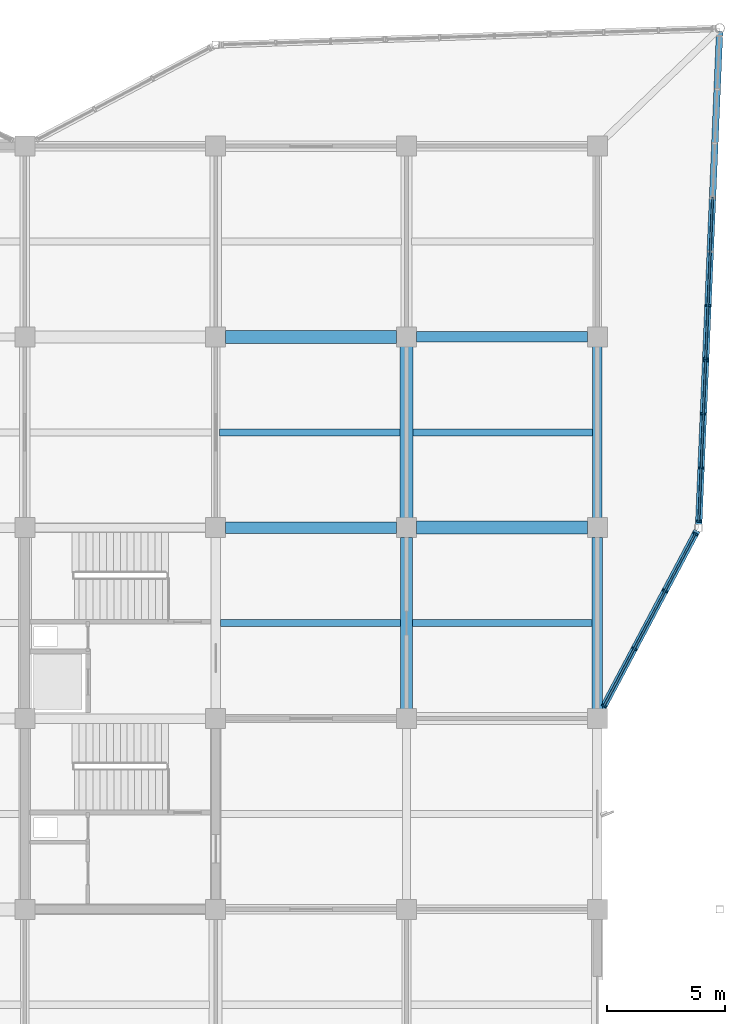
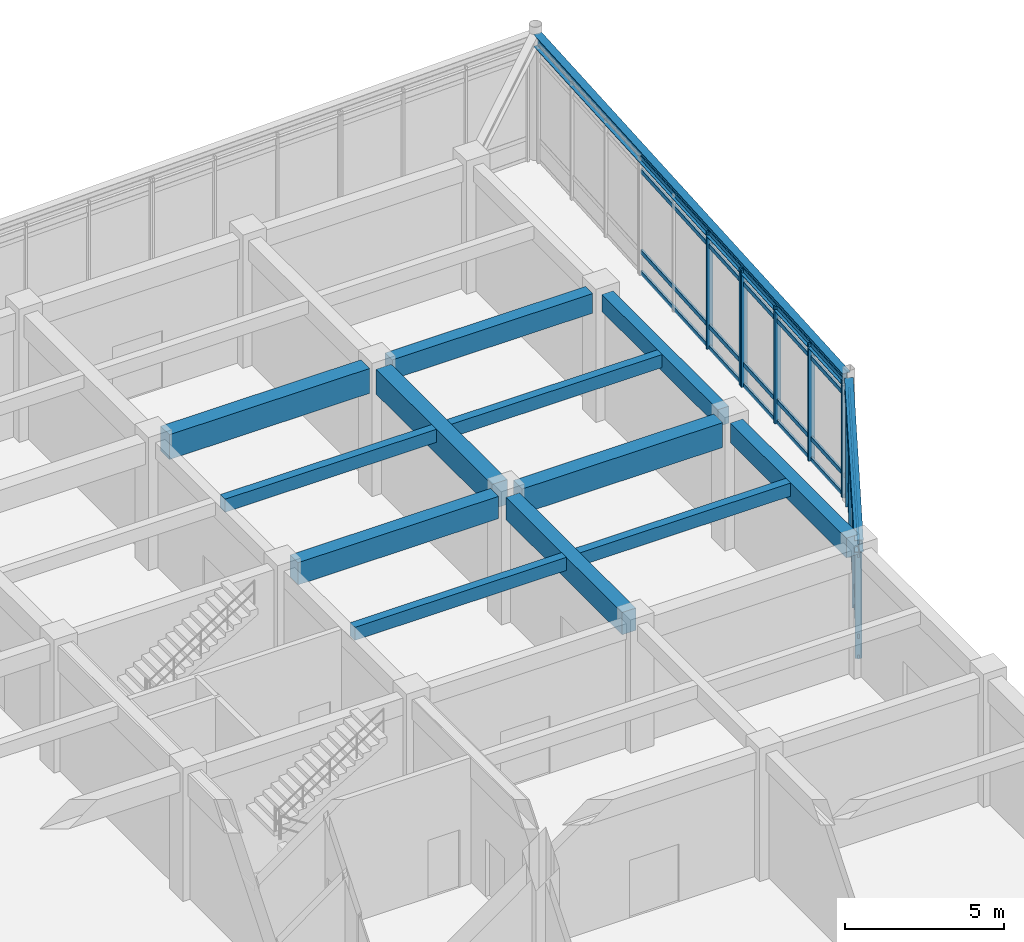
# One storey, part 44 of 99: 22 members, 14 beams, 3 elements without a shape of their own.
"""IFC4 building model written with IfcOpenShell, lengths in metres."""

from ifc_helpers import new_model, si_unit, direction, frame, origin, origin_2d, place, context, subcontext, project, spatial, rectangle, i_section, extrude, material, layer, layer_set, material_profile, profile_set, type_object, element, aggregate, save


model = new_model("IFC4")

# Units and contexts
model_context = context("Model", 3, precision=1e-05, world=origin(), true_north=direction((0.0, 1.0)))
body_context = subcontext(model_context, "Body", "Model", "MODEL_VIEW")
ifc_project = project(units=[si_unit("LENGTHUNIT", "METRE"), si_unit("AREAUNIT", "SQUARE_METRE"), si_unit("VOLUMEUNIT", "CUBIC_METRE"), si_unit("PLANEANGLEUNIT", "RADIAN"), si_unit("MASSUNIT", "GRAM", prefix="KILO")], contexts=[model_context])

# Site, building, storey
site_placement = place(None, origin())
site = spatial("IfcSite", under=ifc_project, at=site_placement, CompositionType="ELEMENT")
building_placement = place(site_placement, origin())
building = spatial("IfcBuilding", under=site, at=building_placement, Name="Vaudrelin Polytechnic", CompositionType="ELEMENT")
storey_placement = place(building_placement, origin())
storey = spatial("IfcBuildingStorey", under=building, at=storey_placement, Name="L00", CompositionType="ELEMENT", Elevation=0.0)

# Beams
ifc_material_1 = material(Name="Concrete 40 MPa", Category="concrete")
ifc_material_profile_1 = material_profile(ifc_material_1, rectangle(XDim=0.39990234375, YDim=0.64990234375, at=origin_2d()), Name="RC400x650")
ifc_profile_set_1 = profile_set([ifc_material_profile_1], Name="Concrete 40 MPa")
beam_type_1 = type_object("IfcBeamType", Name="BM-BM-RC4065", PredefinedType="BEAM", material=ifc_profile_set_1)
beam_1_placement = place(storey_placement, frame((170.10009765625, 105.7099609375, 4.4951171875), z_axis=(0.0, 1.0, 0.0), x_axis=(-1.0, 0.0, 0.0)))
element("IfcBeam", 1, at=beam_1_placement, inside=storey, type_object=beam_type_1, Name="L00 Y-beam 22-14", PredefinedType="BEAM", context=body_context, shape_type="SweptSolid", body=[
    extrude(rectangle(XDim=0.39990234375, YDim=0.64990234375, at=origin_2d()), origin(), (0.0, 0.0, 1.0), 7.280029296875),
])
ifc_material_profile_2 = material_profile(ifc_material_1, rectangle(XDim=0.449951171875, YDim=0.75, at=origin_2d()), Name="RC450x750")
ifc_profile_set_2 = profile_set([ifc_material_profile_2], Name="Concrete 40 MPa")
beam_type_2 = type_object("IfcBeamType", Name="BM-BM-RC4575", PredefinedType="BEAM", material=ifc_profile_set_2)
beam_2_placement = place(storey_placement, frame((170.10009765625, 97.610107421875, 4.445068359375), z_axis=(0.0, 1.0, 0.0), x_axis=(-1.0, 0.0, 0.0)))
element("IfcBeam", 2, at=beam_2_placement, inside=storey, type_object=beam_type_2, Name="L00 Y-beam 22-13", PredefinedType="BEAM", context=body_context, shape_type="SweptSolid", body=[
    extrude(rectangle(XDim=0.449951171875, YDim=0.75, at=origin_2d()), origin(), (0.0, 0.0, 1.0), 7.27978515625),
])
beam_3_placement = place(storey_placement, frame((162.4208984375, 113.39990234375, 4.445068359375), z_axis=(1.0, 0.0, 0.0), x_axis=(0.0, 1.0, 0.0)))
element("IfcBeam", 3, at=beam_3_placement, inside=storey, type_object=beam_type_2, Name="L00 X-beam 21-15", PredefinedType="BEAM", context=body_context, shape_type="SweptSolid", body=[
    extrude(rectangle(XDim=0.449951171875, YDim=0.75, at=origin_2d()), origin(), (0.0, 0.0, 1.0), 7.258056640625),
])
ifc_material_profile_3 = material_profile(ifc_material_1, rectangle(XDim=0.5, YDim=0.85009765625, at=origin_2d()), Name="RC500x850")
ifc_profile_set_3 = profile_set([ifc_material_profile_3], Name="Concrete 40 MPa")
beam_type_3 = type_object("IfcBeamType", Name="BM-BM-RC5085", PredefinedType="BEAM", material=ifc_profile_set_3)
beam_4_placement = place(storey_placement, frame((162.0, 97.610107421875, 4.39501953125), z_axis=(0.0, 1.0, 0.0), x_axis=(-1.0, 0.0, 0.0)))
element("IfcBeam", 4, at=beam_4_placement, inside=storey, type_object=beam_type_3, Name="L00 Y-beam 21-13", PredefinedType="BEAM", context=body_context, shape_type="SweptSolid", body=[
    extrude(rectangle(XDim=0.5, YDim=0.85009765625, at=origin_2d()), origin(), (0.0, 0.0, 1.0), 7.27978515625),
])
beam_5_placement = place(storey_placement, frame((154.321044921875, 105.300048828125, 4.39501953125), z_axis=(1.0, 0.0, 0.0), x_axis=(0.0, 1.0, 0.0)))
element("IfcBeam", 5, at=beam_5_placement, inside=storey, type_object=beam_type_3, Name="L00 X-beam 20-14", PredefinedType="BEAM", context=body_context, shape_type="SweptSolid", body=[
    extrude(rectangle(XDim=0.5, YDim=0.85009765625, at=origin_2d()), origin(), (0.0, 0.0, 1.0), 7.258056640625),
])
ifc_material_2 = material(Name="Concrete 50 MPa", Category="concrete")
ifc_material_profile_4 = material_profile(ifc_material_2, rectangle(XDim=0.550048828125, YDim=0.949951171875, at=origin_2d()), Name="RC550x950")
ifc_profile_set_4 = profile_set([ifc_material_profile_4], Name="Concrete 50 MPa")
beam_type_4 = type_object("IfcBeamType", Name="BM-BM-RC5595", PredefinedType="BEAM", material=ifc_profile_set_4)
beam_6_placement = place(storey_placement, frame((162.0, 105.7099609375, 4.344970703125), z_axis=(0.0, 1.0, 0.0), x_axis=(-1.0, 0.0, 0.0)))
element("IfcBeam", 6, at=beam_6_placement, inside=storey, type_object=beam_type_4, Name="L00 Y-beam 21-14", PredefinedType="BEAM", context=body_context, shape_type="SweptSolid", body=[
    extrude(rectangle(XDim=0.550048828125, YDim=0.949951171875, at=origin_2d()), origin(), (0.0, 0.0, 1.0), 7.280029296875),
])
for number, where, z_axis, x_axis, name in (
    (7, (154.321044921875, 113.39990234375, 4.344970703125), (1.0, 0.0, 0.0), (0.0, 1.0, 0.0), "L00 X-beam 20-15"),
    (8, (162.4208984375, 105.300048828125, 4.344970703125), (1.0, 0.0, 0.0), (0.0, 1.0, 0.0), "L00 X-beam 21-14"),
):
    element("IfcBeam", number, at=place(storey_placement, frame(where, z_axis=z_axis, x_axis=x_axis)), inside=storey, type_object=beam_type_4, Name=name, PredefinedType="BEAM", context=body_context, shape_type="SweptSolid", body=[
        extrude(rectangle(XDim=0.550048828125, YDim=0.949951171875, at=origin_2d()), origin(), (0.0, 0.0, 1.0), 7.258056640625),
    ])
ifc_material_3 = material(Name="Steel CSA G40.21 350W", Category="steel")
ifc_material_profile_5 = material_profile(ifc_material_3, i_section(OverallWidth=0.280029296875, OverallDepth=0.462890625, WebThickness=0.0107421875, FlangeThickness=0.017333984375, FilletRadius=0.01806640625, at=origin_2d()), Name="W460x113")
ifc_profile_set_5 = profile_set([ifc_material_profile_5], Name="Steel CSA G40.21 350W")
beam_type_5 = type_object("IfcBeamType", Name="BM-BM-W460H", PredefinedType="BEAM", material=ifc_profile_set_5)
beam_7_placement = place(storey_placement, frame((175.294189453125, 126.360107421875, 4.58837890625), z_axis=(-0.042417646122, -0.999099966619, 0.0), x_axis=(0.999099966619, -0.042417646122, 0.0)))
element("IfcBeam", 9, at=beam_7_placement, inside=storey, type_object=beam_type_5, Name="Sculptural edge beam L00 NE_BM_3", PredefinedType="BEAM", context=body_context, shape_type="SweptSolid", body=[
    extrude(i_section(OverallWidth=0.280029296875, OverallDepth=0.462890625, WebThickness=0.0107421875, FlangeThickness=0.017333984375, FilletRadius=0.01806640625, at=origin_2d()), origin(), (0.0, 0.0, 1.0), 20.93896484375),
])
beam_8_placement = place(storey_placement, frame((174.33447265625, 105.17626953125, 4.58837890625), z_axis=(-0.468916952234, -0.883242261165, 0.0), x_axis=(0.883242261165, -0.468916952234, 0.0)))
element("IfcBeam", 10, at=beam_8_placement, inside=storey, type_object=beam_type_5, Name="Sculptural edge beam L00 NE_BM_4", PredefinedType="BEAM", context=body_context, shape_type="SweptSolid", body=[
    extrude(i_section(OverallWidth=0.280029296875, OverallDepth=0.462890625, WebThickness=0.0107421875, FlangeThickness=0.017333984375, FilletRadius=0.01806640625, at=origin_2d()), origin(), (0.0, 0.0, 1.0), 8.890625),
])
ifc_material_profile_6 = material_profile(ifc_material_1, rectangle(XDim=0.300048828125, YDim=0.5, at=origin_2d()), Name="RC300x500")
ifc_profile_set_6 = profile_set([ifc_material_profile_6], Name="Concrete 40 MPa")
beam_type_6 = type_object("IfcBeamType", Name="BM-JS-RC3050", PredefinedType="JOIST", material=ifc_profile_set_6)
for number, where, z_axis, x_axis, name in (
    (11, (154.095947265625, 101.25, 4.570068359375), (1.0, 0.0, 0.0), (0.0, 1.0, 0.0), "L00 floor joist 20-13"),
    (12, (154.071044921875, 109.35009765625, 4.570068359375), (1.0, 0.0, 0.0), (0.0, 1.0, 0.0), "L00 floor joist 20-14"),
):
    element("IfcBeam", number, at=place(storey_placement, frame(where, z_axis=z_axis, x_axis=x_axis)), inside=storey, type_object=beam_type_6, Name=name, PredefinedType="JOIST", context=body_context, shape_type="SweptSolid", body=[
        extrude(rectangle(XDim=0.300048828125, YDim=0.5, at=origin_2d()), origin(), (0.0, 0.0, 1.0), 7.657958984375),
    ])
beam_9_placement = place(storey_placement, frame((162.24609375, 101.25, 4.570068359375), z_axis=(1.0, 0.0, 0.0), x_axis=(0.0, 1.0, 0.0)))
element("IfcBeam", 13, at=beam_9_placement, inside=storey, type_object=beam_type_6, Name="L00 floor joist 21-13", PredefinedType="JOIST", context=body_context, shape_type="SweptSolid", body=[
    extrude(rectangle(XDim=0.300048828125, YDim=0.5, at=origin_2d()), origin(), (0.0, 0.0, 1.0), 7.6328125),
])
beam_10_placement = place(storey_placement, frame((162.27099609375, 109.35009765625, 4.570068359375), z_axis=(1.0, 0.0, 0.0), x_axis=(0.0, 1.0, 0.0)))
element("IfcBeam", 14, at=beam_10_placement, inside=storey, type_object=beam_type_6, Name="L00 floor joist 21-14", PredefinedType="JOIST", context=body_context, shape_type="SweptSolid", body=[
    extrude(rectangle(XDim=0.300048828125, YDim=0.5, at=origin_2d()), origin(), (0.0, 0.0, 1.0), 7.633056640625),
])

# Curtain wall, members
ifc_material_4 = material(Name="Thermally broken anodised aluminium AA 6063-T6 and low-e triple glazing", Category="aluminium")
ifc_layer = layer(ifc_material_4, 0.199951171875)
ifc_layer_set = layer_set([ifc_layer], Name="Thermally broken anodised aluminium AA 6063-T6 and low-e triple glazing")
curtain_wall_type = type_object("IfcCurtainWallType", Name="CW-CW-LAB", PredefinedType="USERDEFINED", material=ifc_layer_set)
curtain_wall_1_placement = place(storey_placement, origin())
curtain_wall_1 = element("IfcCurtainWall", 15, at=curtain_wall_1_placement, inside=storey, type_object=curtain_wall_type, Name="Curtain wall L00 NEP_3_1", ObjectType="CURTAIN WALL", PredefinedType="USERDEFINED")
ifc_material_5 = material(Name="Anodised aluminium AA 6063-T6", Category="aluminium")
ifc_material_profile_7 = material_profile(ifc_material_5, rectangle(XDim=0.074951171875, YDim=0.219970703125, at=origin_2d()), Name="CWM-75x220")
ifc_profile_set_7 = profile_set([ifc_material_profile_7], Name="Anodised aluminium AA 6063-T6")
member_type_1 = type_object("IfcMemberType", Name="MEM-CWM-220", PredefinedType="MULLION", material=ifc_profile_set_7)
member_1_placement = place(storey_placement, frame((174.80029296875, 114.72607421875, 0.0), z_axis=(0.0, 0.0, 1.0), x_axis=(-0.042405411318, -0.999100485983, 0.0)))
member_1 = element("IfcMember", 16, at=member_1_placement, type_object=member_type_1, Name="NEP_3_1 mullion 3", PredefinedType="MULLION", context=body_context, shape_type="SweptSolid", body=[
    extrude(rectangle(XDim=0.074951171875, YDim=0.219970703125, at=origin_2d()), origin(), (0.0, 0.0, 1.0), 4.489990234375),
])
member_2_placement = place(storey_placement, frame((174.704345703125, 112.468994140625, 0.0), z_axis=(0.0, 0.0, 1.0), x_axis=(-0.042405411318, -0.999100485983, 0.0)))
member_2 = element("IfcMember", 17, at=member_2_placement, type_object=member_type_1, Name="NEP_3_1 mullion 4", PredefinedType="MULLION", context=body_context, shape_type="SweptSolid", body=[
    extrude(rectangle(XDim=0.074951171875, YDim=0.219970703125, at=origin_2d()), origin(), (0.0, 0.0, 1.0), 4.489990234375),
])

curtain_wall_2_placement = place(storey_placement, origin())
curtain_wall_2 = element("IfcCurtainWall", 18, at=curtain_wall_2_placement, inside=storey, type_object=curtain_wall_type, Name="Curtain wall L00 NEP_3_2", ObjectType="CURTAIN WALL", PredefinedType="USERDEFINED")
member_3_placement = place(storey_placement, frame((174.700927734375, 112.388916015625, 0.0), z_axis=(0.0, 0.0, 1.0), x_axis=(-0.042419882824, -0.999099871655, 0.0)))
member_3 = element("IfcMember", 19, at=member_3_placement, type_object=member_type_1, Name="NEP_3_2 mullion 1", PredefinedType="MULLION", context=body_context, shape_type="SweptSolid", body=[
    extrude(rectangle(XDim=0.074951171875, YDim=0.219970703125, at=origin_2d()), origin(), (0.0, 0.0, 1.0), 4.489990234375),
])
member_4_placement = place(storey_placement, frame((174.605224609375, 110.131591796875, 0.0), z_axis=(0.0, 0.0, 1.0), x_axis=(-0.042419882824, -0.999099871655, 0.0)))
member_4 = element("IfcMember", 20, at=member_4_placement, type_object=member_type_1, Name="NEP_3_2 mullion 2", PredefinedType="MULLION", context=body_context, shape_type="SweptSolid", body=[
    extrude(rectangle(XDim=0.074951171875, YDim=0.219970703125, at=origin_2d()), origin(), (0.0, 0.0, 1.0), 4.489990234375),
])
member_5_placement = place(storey_placement, frame((174.507568359375, 107.834716796875, 0.0), z_axis=(0.0, 0.0, 1.0), x_axis=(-0.042419882824, -0.999099871655, 0.0)))
member_5 = element("IfcMember", 21, at=member_5_placement, type_object=member_type_1, Name="NEP_3_2 mullion 3", PredefinedType="MULLION", context=body_context, shape_type="SweptSolid", body=[
    extrude(rectangle(XDim=0.074951171875, YDim=0.219970703125, at=origin_2d()), origin(), (0.0, 0.0, 1.0), 4.489990234375),
])
member_6_placement = place(storey_placement, frame((174.411865234375, 105.577392578125, 0.0), z_axis=(0.0, 0.0, 1.0), x_axis=(-0.042419882824, -0.999099871655, 0.0)))
member_6 = element("IfcMember", 22, at=member_6_placement, type_object=member_type_1, Name="NEP_3_2 mullion 4", PredefinedType="MULLION", context=body_context, shape_type="SweptSolid", body=[
    extrude(rectangle(XDim=0.074951171875, YDim=0.219970703125, at=origin_2d()), origin(), (0.0, 0.0, 1.0), 4.489990234375),
])

curtain_wall_3_placement = place(storey_placement, origin())
curtain_wall_3 = element("IfcCurtainWall", 23, at=curtain_wall_3_placement, inside=storey, type_object=curtain_wall_type, Name="Curtain wall L00 NEP_4_0", ObjectType="CURTAIN WALL", PredefinedType="USERDEFINED")
member_7_placement = place(storey_placement, frame((174.260498046875, 105.037109375, 0.0), z_axis=(0.0, 0.0, 1.0), x_axis=(-0.468890369298, -0.883256373642, 0.0)))
member_7 = element("IfcMember", 24, at=member_7_placement, type_object=member_type_1, Name="NEP_4_0 mullion 1", PredefinedType="MULLION", context=body_context, shape_type="SweptSolid", body=[
    extrude(rectangle(XDim=0.074951171875, YDim=0.219970703125, at=origin_2d()), origin(), (0.0, 0.0, 1.0), 4.489990234375),
])
member_8_placement = place(storey_placement, frame((172.974609375, 102.614990234375, 0.0), z_axis=(0.0, 0.0, 1.0), x_axis=(-0.468890369298, -0.883256373642, 0.0)))
member_8 = element("IfcMember", 25, at=member_8_placement, type_object=member_type_1, Name="NEP_4_0 mullion 2", PredefinedType="MULLION", context=body_context, shape_type="SweptSolid", body=[
    extrude(rectangle(XDim=0.074951171875, YDim=0.219970703125, at=origin_2d()), origin(), (0.0, 0.0, 1.0), 4.489990234375),
])
member_9_placement = place(storey_placement, frame((171.670166015625, 100.157470703125, 0.0), z_axis=(0.0, 0.0, 1.0), x_axis=(-0.468890369298, -0.883256373642, 0.0)))
member_9 = element("IfcMember", 26, at=member_9_placement, type_object=member_type_1, Name="NEP_4_0 mullion 3", PredefinedType="MULLION", context=body_context, shape_type="SweptSolid", body=[
    extrude(rectangle(XDim=0.074951171875, YDim=0.219970703125, at=origin_2d()), origin(), (0.0, 0.0, 1.0), 4.489990234375),
])
member_10_placement = place(storey_placement, frame((170.38427734375, 97.7353515625, 0.0), z_axis=(0.0, 0.0, 1.0), x_axis=(-0.468890369298, -0.883256373642, 0.0)))
member_10 = element("IfcMember", 27, at=member_10_placement, type_object=member_type_1, Name="NEP_4_0 mullion 4", PredefinedType="MULLION", context=body_context, shape_type="SweptSolid", body=[
    extrude(rectangle(XDim=0.074951171875, YDim=0.219970703125, at=origin_2d()), origin(), (0.0, 0.0, 1.0), 4.489990234375),
])

# Member
ifc_material_profile_8 = material_profile(ifc_material_5, rectangle(XDim=0.074951171875, YDim=0.1650390625, at=origin_2d()), Name="CWT-75x165")
ifc_profile_set_8 = profile_set([ifc_material_profile_8], Name="Anodised aluminium AA 6063-T6")
member_type_2 = type_object("IfcMemberType", Name="MEM-CWT-165", PredefinedType="USERDEFINED", material=ifc_profile_set_8)
member_11_placement = place(storey_placement, frame((174.9951171875, 119.3203125, 0.050048828125), z_axis=(-0.042403460566, -0.999100568778, 0.0), x_axis=(0.999100568778, -0.042403460566, 0.0)))
member_11 = element("IfcMember", 28, at=member_11_placement, type_object=member_type_2, Name="NEP_3_1 transom 1", ObjectType="TRANSOM", PredefinedType="USERDEFINED", context=body_context, shape_type="SweptSolid", body=[
    extrude(rectangle(XDim=0.074951171875, YDim=0.1650390625, at=origin_2d()), origin(), (0.0, 0.0, 1.0), 6.8974609375),
])

member_12_placement = place(storey_placement, frame((174.9951171875, 119.3203125, 0.85009765625), z_axis=(-0.042403460566, -0.999100568778, 0.0), x_axis=(0.999100568778, -0.042403460566, 0.0)))
member_12 = element("IfcMember", 29, at=member_12_placement, type_object=member_type_2, Name="NEP_3_1 transom 2", ObjectType="TRANSOM", PredefinedType="USERDEFINED", context=body_context, shape_type="SweptSolid", body=[
    extrude(rectangle(XDim=0.074951171875, YDim=0.1650390625, at=origin_2d()), origin(), (0.0, 0.0, 1.0), 6.8974609375),
])

member_13_placement = place(storey_placement, frame((174.9951171875, 119.3203125, 3.93994140625), z_axis=(-0.042403460566, -0.999100568778, 0.0), x_axis=(0.999100568778, -0.042403460566, 0.0)))
member_13 = element("IfcMember", 30, at=member_13_placement, type_object=member_type_2, Name="NEP_3_1 transom 3", ObjectType="TRANSOM", PredefinedType="USERDEFINED", context=body_context, shape_type="SweptSolid", body=[
    extrude(rectangle(XDim=0.074951171875, YDim=0.1650390625, at=origin_2d()), origin(), (0.0, 0.0, 1.0), 6.8974609375),
])

member_14_placement = place(storey_placement, frame((174.9951171875, 119.3203125, 4.43994140625), z_axis=(-0.042403460566, -0.999100568778, 0.0), x_axis=(0.999100568778, -0.042403460566, 0.0)))
member_14 = element("IfcMember", 31, at=member_14_placement, type_object=member_type_2, Name="NEP_3_1 transom 4", ObjectType="TRANSOM", PredefinedType="USERDEFINED", context=body_context, shape_type="SweptSolid", body=[
    extrude(rectangle(XDim=0.074951171875, YDim=0.1650390625, at=origin_2d()), origin(), (0.0, 0.0, 1.0), 6.8974609375),
])

aggregate(curtain_wall_1, [member_1, member_2, member_11, member_12, member_13, member_14])

member_15_placement = place(storey_placement, frame((174.70263671875, 112.428955078125, 0.050048828125), z_axis=(-0.04240196109, -0.999100632417, 0.0), x_axis=(0.999100632417, -0.04240196109, 0.0)))
member_15 = element("IfcMember", 32, at=member_15_placement, type_object=member_type_2, Name="NEP_3_2 transom 1", ObjectType="TRANSOM", PredefinedType="USERDEFINED", context=body_context, shape_type="SweptSolid", body=[
    extrude(rectangle(XDim=0.074951171875, YDim=0.1650390625, at=origin_2d()), origin(), (0.0, 0.0, 1.0), 6.897705078125),
])

member_16_placement = place(storey_placement, frame((174.70263671875, 112.428955078125, 0.85009765625), z_axis=(-0.04240196109, -0.999100632417, 0.0), x_axis=(0.999100632417, -0.04240196109, 0.0)))
member_16 = element("IfcMember", 33, at=member_16_placement, type_object=member_type_2, Name="NEP_3_2 transom 2", ObjectType="TRANSOM", PredefinedType="USERDEFINED", context=body_context, shape_type="SweptSolid", body=[
    extrude(rectangle(XDim=0.074951171875, YDim=0.1650390625, at=origin_2d()), origin(), (0.0, 0.0, 1.0), 6.897705078125),
])

member_17_placement = place(storey_placement, frame((174.70263671875, 112.428955078125, 3.93994140625), z_axis=(-0.04240196109, -0.999100632417, 0.0), x_axis=(0.999100632417, -0.04240196109, 0.0)))
member_17 = element("IfcMember", 34, at=member_17_placement, type_object=member_type_2, Name="NEP_3_2 transom 3", ObjectType="TRANSOM", PredefinedType="USERDEFINED", context=body_context, shape_type="SweptSolid", body=[
    extrude(rectangle(XDim=0.074951171875, YDim=0.1650390625, at=origin_2d()), origin(), (0.0, 0.0, 1.0), 6.897705078125),
])

member_18_placement = place(storey_placement, frame((174.70263671875, 112.428955078125, 4.43994140625), z_axis=(-0.04240196109, -0.999100632417, 0.0), x_axis=(0.999100632417, -0.04240196109, 0.0)))
member_18 = element("IfcMember", 35, at=member_18_placement, type_object=member_type_2, Name="NEP_3_2 transom 4", ObjectType="TRANSOM", PredefinedType="USERDEFINED", context=body_context, shape_type="SweptSolid", body=[
    extrude(rectangle(XDim=0.074951171875, YDim=0.1650390625, at=origin_2d()), origin(), (0.0, 0.0, 1.0), 6.897705078125),
])

aggregate(curtain_wall_2, [member_3, member_4, member_5, member_6, member_15, member_16, member_17, member_18])

member_19_placement = place(storey_placement, frame((174.279296875, 105.072509765625, 0.050048828125), z_axis=(-0.468900714707, -0.883250881543, 0.0), x_axis=(0.883250881543, -0.468900714707, 0.0)))
member_19 = element("IfcMember", 36, at=member_19_placement, type_object=member_type_2, Name="NEP_4_0 transom 1", ObjectType="TRANSOM", PredefinedType="USERDEFINED", context=body_context, shape_type="SweptSolid", body=[
    extrude(rectangle(XDim=0.074951171875, YDim=0.1650390625, at=origin_2d()), origin(), (0.0, 0.0, 1.0), 8.3466796875),
])

member_20_placement = place(storey_placement, frame((174.279296875, 105.072509765625, 0.85009765625), z_axis=(-0.468900714707, -0.883250881543, 0.0), x_axis=(0.883250881543, -0.468900714707, 0.0)))
member_20 = element("IfcMember", 37, at=member_20_placement, type_object=member_type_2, Name="NEP_4_0 transom 2", ObjectType="TRANSOM", PredefinedType="USERDEFINED", context=body_context, shape_type="SweptSolid", body=[
    extrude(rectangle(XDim=0.074951171875, YDim=0.1650390625, at=origin_2d()), origin(), (0.0, 0.0, 1.0), 8.3466796875),
])

member_21_placement = place(storey_placement, frame((174.279296875, 105.072509765625, 3.93994140625), z_axis=(-0.468900714707, -0.883250881543, 0.0), x_axis=(0.883250881543, -0.468900714707, 0.0)))
member_21 = element("IfcMember", 38, at=member_21_placement, type_object=member_type_2, Name="NEP_4_0 transom 3", ObjectType="TRANSOM", PredefinedType="USERDEFINED", context=body_context, shape_type="SweptSolid", body=[
    extrude(rectangle(XDim=0.074951171875, YDim=0.1650390625, at=origin_2d()), origin(), (0.0, 0.0, 1.0), 8.3466796875),
])

member_22_placement = place(storey_placement, frame((174.279296875, 105.072509765625, 4.43994140625), z_axis=(-0.468900714707, -0.883250881543, 0.0), x_axis=(0.883250881543, -0.468900714707, 0.0)))
member_22 = element("IfcMember", 39, at=member_22_placement, type_object=member_type_2, Name="NEP_4_0 transom 4", ObjectType="TRANSOM", PredefinedType="USERDEFINED", context=body_context, shape_type="SweptSolid", body=[
    extrude(rectangle(XDim=0.074951171875, YDim=0.1650390625, at=origin_2d()), origin(), (0.0, 0.0, 1.0), 8.3466796875),
])

aggregate(curtain_wall_3, [member_7, member_8, member_9, member_10, member_19, member_20, member_21, member_22])

save(model, "model.ifc")
